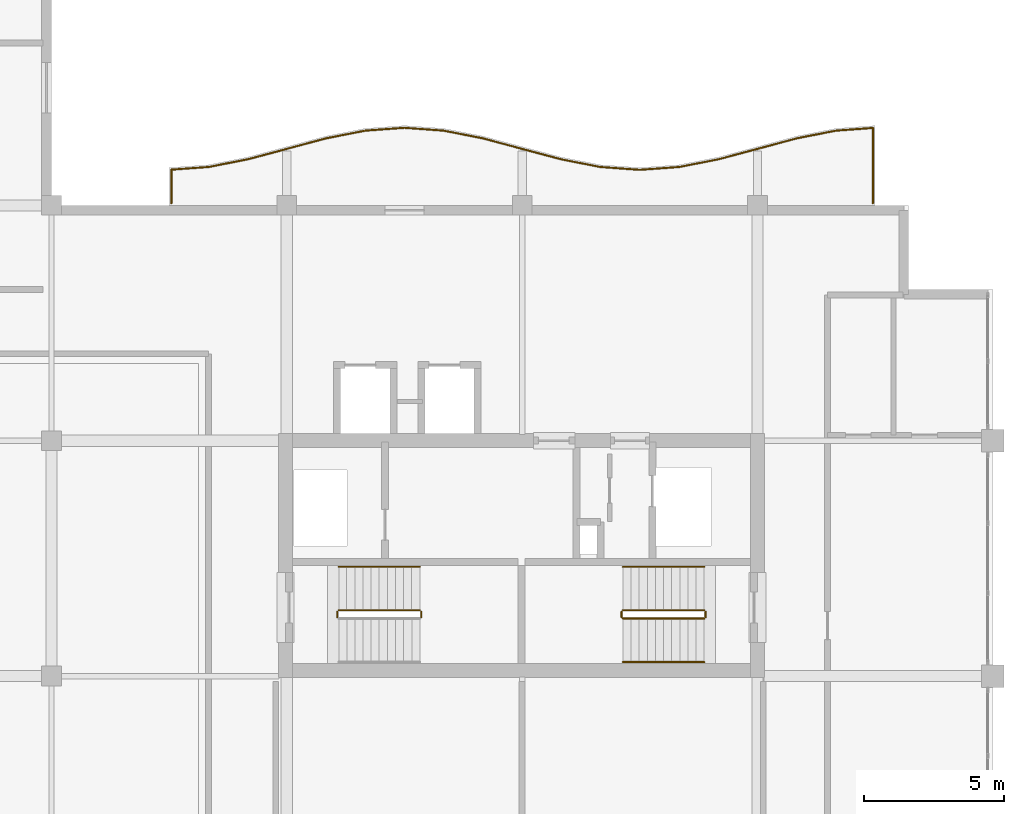
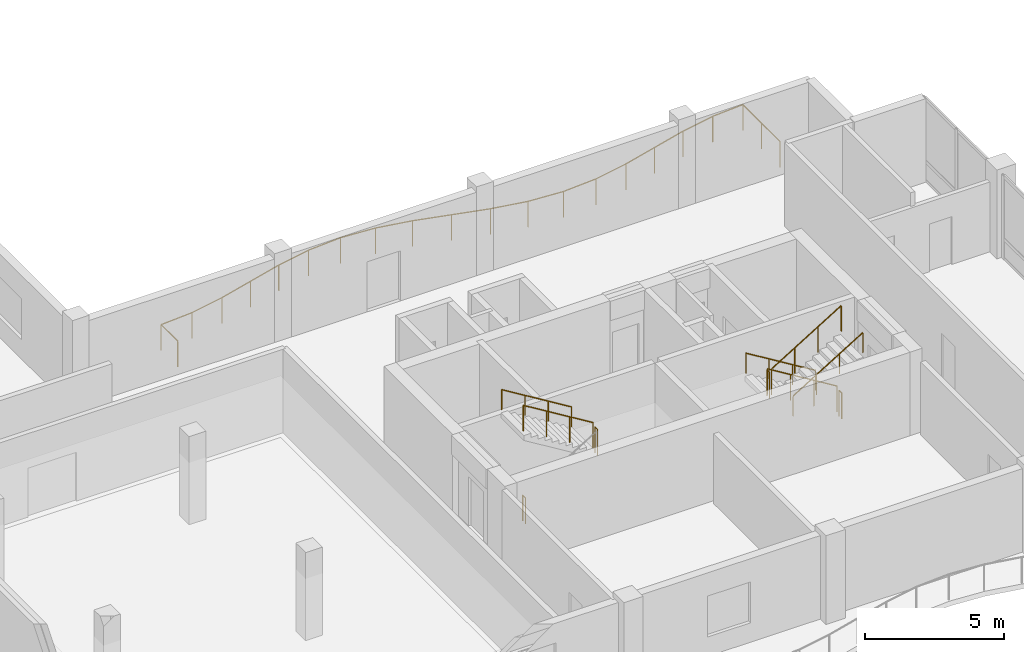
# One storey, part 12 of 14: 11 railings.
"""IFC4 building model written with IfcOpenShell, lengths in metres."""

from ifc_helpers import new_model, si_unit, direction, frame, origin, origin_2d, place, context, subcontext, project, spatial, circle, extrude, material, type_object, element, save


model = new_model("IFC4")

# Units and contexts
model_context = context("Model", 3, precision=1e-05, world=origin(), true_north=direction((0.0, 1.0)))
body_context = subcontext(model_context, "Body", "Model", "MODEL_VIEW")
ifc_project = project(units=[si_unit("LENGTHUNIT", "METRE"), si_unit("AREAUNIT", "SQUARE_METRE"), si_unit("VOLUMEUNIT", "CUBIC_METRE"), si_unit("PLANEANGLEUNIT", "RADIAN"), si_unit("MASSUNIT", "GRAM", prefix="KILO")], contexts=[model_context])

# Site, building, storey
site_placement = place(None, origin())
site = spatial("IfcSite", under=ifc_project, at=site_placement, CompositionType="ELEMENT")
building_placement = place(site_placement, origin())
building = spatial("IfcBuilding", under=site, at=building_placement, Name="Koriwani Terraces Tower", CompositionType="ELEMENT")
storey_placement = place(building_placement, frame((0.0, 0.0, 339.800048828125)))
storey = spatial("IfcBuildingStorey", under=building, at=storey_placement, Name="L84", CompositionType="ELEMENT", Elevation=339.800048828125)

# Railings
ifc_material = material(Name="Steel ASTM A572 Grade 50", Category="steel")
railing_type_1 = type_object("IfcRailingType", Name="GUARD_BALUSTRADE_1150", PredefinedType="BALUSTRADE", material=ifc_material)
railing_1_placement = place(storey_placement, frame((62.919921875, 33.679931640625, 0.0)))
element("IfcRailing", 1, at=railing_1_placement, inside=storey, type_object=railing_type_1, Name="L84 Balcony Perimeter Safety Balustrade (NE)", PredefinedType="BALUSTRADE", context=body_context, shape_type="SweptSolid", body=[
    extrude(circle(Radius=0.02392578125, at=origin_2d()), frame((0.0, 0.0, 1.1259765625), z_axis=(0.0, 1.0, 0.0), x_axis=(-1.0, 0.0, 0.0)), (0.0, 0.0, 1.0), 2.68408203125),
    extrude(circle(Radius=0.02392578125, at=origin_2d()), frame((0.0, 2.68408203125, 1.1259765625), z_axis=(-0.997433145776, -0.07160390847, 0.0), x_axis=(0.07160390847, -0.997433145776, 0.0)), (0.0, 0.0, 1.0), 1.312744140625),
    extrude(circle(Radius=0.02392578125, at=origin_2d()), frame((-1.309326171875, 2.590087890625, 1.1259765625), z_axis=(-0.981327760125, -0.192342993657, 0.0), x_axis=(0.192342993657, -0.981327760125, 0.0)), (0.0, 0.0, 1.0), 1.419189453125),
    extrude(circle(Radius=0.02392578125, at=origin_2d()), frame((-2.701904296875, 2.317138671875, 1.1259765625), z_axis=(-0.96594917914, -0.258731875344, 0.0), x_axis=(0.258731875344, -0.96594917914, 0.0)), (0.0, 0.0, 1.0), 2.898681640625),
    extrude(circle(Radius=0.02392578125, at=origin_2d()), frame((-5.501953125, 1.567138671875, 1.1259765625), z_axis=(-0.981358469957, -0.192186246762, 0.0), x_axis=(0.192186246762, -0.981358469957, 0.0)), (0.0, 0.0, 1.0), 1.434326171875),
    extrude(circle(Radius=0.02392578125, at=origin_2d()), frame((-6.909423828125, 1.29150390625, 1.1259765625), z_axis=(-0.997429695692, -0.071651951482, 0.0), x_axis=(0.071651951482, -0.997429695692, 0.0)), (0.0, 0.0, 1.0), 1.4140625),
    extrude(circle(Radius=0.02392578125, at=origin_2d()), frame((-8.31982421875, 1.190185546875, 1.1259765625), z_axis=(-0.997430581876, 0.071639614309, 0.0), x_axis=(-0.071639614309, -0.997430581876, 0.0)), (0.0, 0.0, 1.0), 1.414306640625),
    extrude(circle(Radius=0.02392578125, at=origin_2d()), frame((-9.73046875, 1.29150390625, 1.1259765625), z_axis=(-0.981358469957, 0.192186246762, 0.0), x_axis=(-0.192186246762, -0.981358469957, 0.0)), (0.0, 0.0, 1.0), 1.434326171875),
    extrude(circle(Radius=0.02392578125, at=origin_2d()), frame((-11.137939453125, 1.567138671875, 1.1259765625), z_axis=(-0.96594917914, 0.258731875344, 0.0), x_axis=(-0.258731875344, -0.96594917914, 0.0)), (0.0, 0.0, 1.0), 2.898681640625),
    extrude(circle(Radius=0.02392578125, at=origin_2d()), frame((-13.93798828125, 2.317138671875, 1.1259765625), z_axis=(-0.981327760125, 0.192342993657, 0.0), x_axis=(-0.192342993657, -0.981327760125, 0.0)), (0.0, 0.0, 1.0), 1.419189453125),
    extrude(circle(Radius=0.02392578125, at=origin_2d()), frame((-15.33056640625, 2.590087890625, 1.1259765625), z_axis=(-0.997427466293, 0.07168297904, 0.0), x_axis=(-0.07168297904, -0.997427466293, 0.0)), (0.0, 0.0, 1.0), 1.39306640625),
    extrude(circle(Radius=0.02392578125, at=origin_2d()), frame((-16.719970703125, 2.68994140625, 1.1259765625), z_axis=(-0.997427466293, -0.07168297904, 0.0), x_axis=(0.07168297904, -0.997427466293, 0.0)), (0.0, 0.0, 1.0), 1.39306640625),
    extrude(circle(Radius=0.02392578125, at=origin_2d()), frame((-18.109375, 2.590087890625, 1.1259765625), z_axis=(-0.981321393675, -0.19237547223, 0.0), x_axis=(0.19237547223, -0.981321393675, 0.0)), (0.0, 0.0, 1.0), 1.4189453125),
    extrude(circle(Radius=0.02392578125, at=origin_2d()), frame((-19.501708984375, 2.317138671875, 1.1259765625), z_axis=(-0.965954816498, -0.258710827923, 0.0), x_axis=(0.258710827923, -0.965954816498, 0.0)), (0.0, 0.0, 1.0), 2.89892578125),
    extrude(circle(Radius=0.02392578125, at=origin_2d()), frame((-22.302001953125, 1.567138671875, 1.1259765625), z_axis=(-0.981352180954, -0.192218357442, 0.0), x_axis=(0.192218357442, -0.981352180954, 0.0)), (0.0, 0.0, 1.0), 1.43408203125),
    extrude(circle(Radius=0.02392578125, at=origin_2d()), frame((-23.709228515625, 1.29150390625, 1.1259765625), z_axis=(-0.997411109522, -0.071910212079, 0.0), x_axis=(0.071910212079, -0.997411109522, 0.0)), (0.0, 0.0, 1.0), 1.334228515625),
    extrude(circle(Radius=0.02392578125, at=origin_2d()), frame((-25.0400390625, 1.195556640625, 1.1259765625), z_axis=(0.0, -1.0, 0.0), x_axis=(1.0, 0.0, 0.0)), (0.0, 0.0, 1.0), 1.195556640625),
    extrude(circle(Radius=0.02099609375, at=origin_2d()), origin(), (0.0, 0.0, 1.0), 1.101806640625),
    extrude(circle(Radius=0.02099609375, at=origin_2d()), frame((0.0, 1.342041015625, 0.0)), (0.0, 0.0, 1.0), 1.101806640625),
    extrude(circle(Radius=0.02099609375, at=origin_2d()), frame((0.0, 2.68408203125, 0.0)), (0.0, 0.0, 1.0), 1.101806640625),
    extrude(circle(Radius=0.02099609375, at=origin_2d()), frame((-1.309326171875, 2.590087890625, 0.0)), (0.0, 0.0, 1.0), 1.101806640625),
    extrude(circle(Radius=0.02099609375, at=origin_2d()), frame((-2.701904296875, 2.317138671875, 0.0)), (0.0, 0.0, 1.0), 1.101806640625),
    extrude(circle(Radius=0.02099609375, at=origin_2d()), frame((-4.10205078125, 1.942138671875, 0.0)), (0.0, 0.0, 1.0), 1.101806640625),
    extrude(circle(Radius=0.02099609375, at=origin_2d()), frame((-5.501953125, 1.567138671875, 0.0)), (0.0, 0.0, 1.0), 1.101806640625),
    extrude(circle(Radius=0.02099609375, at=origin_2d()), frame((-6.909423828125, 1.29150390625, 0.0)), (0.0, 0.0, 1.0), 1.101806640625),
    extrude(circle(Radius=0.02099609375, at=origin_2d()), frame((-8.31982421875, 1.190185546875, 0.0)), (0.0, 0.0, 1.0), 1.101806640625),
    extrude(circle(Radius=0.02099609375, at=origin_2d()), frame((-9.73046875, 1.29150390625, 0.0)), (0.0, 0.0, 1.0), 1.101806640625),
    extrude(circle(Radius=0.02099609375, at=origin_2d()), frame((-11.137939453125, 1.567138671875, 0.0)), (0.0, 0.0, 1.0), 1.101806640625),
    extrude(circle(Radius=0.02099609375, at=origin_2d()), frame((-12.5380859375, 1.942138671875, 0.0)), (0.0, 0.0, 1.0), 1.101806640625),
    extrude(circle(Radius=0.02099609375, at=origin_2d()), frame((-13.93798828125, 2.317138671875, 0.0)), (0.0, 0.0, 1.0), 1.101806640625),
    extrude(circle(Radius=0.02099609375, at=origin_2d()), frame((-15.33056640625, 2.590087890625, 0.0)), (0.0, 0.0, 1.0), 1.101806640625),
    extrude(circle(Radius=0.02099609375, at=origin_2d()), frame((-16.719970703125, 2.68994140625, 0.0)), (0.0, 0.0, 1.0), 1.101806640625),
    extrude(circle(Radius=0.02099609375, at=origin_2d()), frame((-18.109375, 2.590087890625, 0.0)), (0.0, 0.0, 1.0), 1.101806640625),
    extrude(circle(Radius=0.02099609375, at=origin_2d()), frame((-19.501708984375, 2.317138671875, 0.0)), (0.0, 0.0, 1.0), 1.101806640625),
    extrude(circle(Radius=0.02099609375, at=origin_2d()), frame((-20.90185546875, 1.942138671875, 0.0)), (0.0, 0.0, 1.0), 1.101806640625),
    extrude(circle(Radius=0.02099609375, at=origin_2d()), frame((-22.302001953125, 1.567138671875, 0.0)), (0.0, 0.0, 1.0), 1.101806640625),
    extrude(circle(Radius=0.02099609375, at=origin_2d()), frame((-23.709228515625, 1.29150390625, 0.0)), (0.0, 0.0, 1.0), 1.101806640625),
    extrude(circle(Radius=0.02099609375, at=origin_2d()), frame((-25.0400390625, 1.195556640625, 0.0)), (0.0, 0.0, 1.0), 1.101806640625),
    extrude(circle(Radius=0.02099609375, at=origin_2d()), frame((-25.0400390625, 0.0, 0.0)), (0.0, 0.0, 1.0), 1.101806640625),
])
railing_type_2 = type_object("IfcRailingType", Name="GUARD_STAIR_WELL_1120", PredefinedType="GUARDRAIL", material=ifc_material)
railing_2_placement = place(storey_placement, frame((46.800048828125, 18.89990234375, 1.949951171875)))
element("IfcRailing", 2, at=railing_2_placement, inside=storey, type_object=railing_type_2, Name="L84 ST-E1 stair guard 2", PredefinedType="GUARDRAIL", context=body_context, shape_type="SweptSolid", body=[
    extrude(circle(Radius=0.02392578125, at=origin_2d()), frame((0.0, 0.0, 1.1259765625), z_axis=(0.0, 1.0, 0.0), x_axis=(-1.0, 0.0, 0.0)), (0.0, 0.0, 1.0), 0.2001953125),
    extrude(circle(Radius=0.02099609375, at=origin_2d()), origin(), (0.0, 0.0, 1.0), 1.101806640625),
    extrude(circle(Radius=0.02099609375, at=origin_2d()), frame((0.0, 0.2001953125, 0.0)), (0.0, 0.0, 1.0), 1.101806640625),
])
railing_3_placement = place(storey_placement, frame((46.75, 19.14990234375, 2.127197265625)))
element("IfcRailing", 3, at=railing_3_placement, inside=storey, type_object=railing_type_2, Name="L84 ST-E1 stair guard 3", PredefinedType="GUARDRAIL", context=body_context, shape_type="SweptSolid", body=[
    extrude(circle(Radius=0.02392578125, at=origin_2d()), frame((0.0, 0.0, 1.1259765625), z_axis=(-0.853210801645, 0.0, 0.521566225858), x_axis=(0.0, -1.0, 0.0)), (0.0, 0.0, 1.0), 3.39892578125),
    extrude(circle(Radius=0.02099609375, at=origin_2d()), origin(), (0.0, 0.0, 1.0), 1.101806640625),
    extrude(circle(Radius=0.02099609375, at=origin_2d()), frame((-0.966552734375, 0.0, 0.5908203125)), (0.0, 0.0, 1.0), 1.101806640625),
    extrude(circle(Radius=0.02099609375, at=origin_2d()), frame((-1.933349609375, 0.0, 1.181884765625)), (0.0, 0.0, 1.0), 1.101806640625),
    extrude(circle(Radius=0.02099609375, at=origin_2d()), frame((-2.89990234375, 0.0, 1.772705078125)), (0.0, 0.0, 1.0), 1.101806640625),
])
railing_4_placement = place(storey_placement, frame((43.800048828125, 18.89990234375, 0.0)))
element("IfcRailing", 4, at=railing_4_placement, inside=storey, type_object=railing_type_2, Name="L84 ST-E1 stair guard 4", PredefinedType="GUARDRAIL", context=body_context, shape_type="SweptSolid", body=[
    extrude(circle(Radius=0.02392578125, at=origin_2d()), frame((0.0, 0.0, 1.1259765625), z_axis=(0.0, 1.0, 0.0), x_axis=(-1.0, 0.0, 0.0)), (0.0, 0.0, 1.0), 0.2001953125),
    extrude(circle(Radius=0.02099609375, at=origin_2d()), origin(), (0.0, 0.0, 1.0), 1.101806640625),
    extrude(circle(Radius=0.02099609375, at=origin_2d()), frame((0.0, 0.2001953125, 0.0)), (0.0, 0.0, 1.0), 1.101806640625),
])
railing_5_placement = place(storey_placement, frame((56.89990234375, 19.14990234375, 0.17724609375)))
element("IfcRailing", 5, at=railing_5_placement, inside=storey, type_object=railing_type_2, Name="L84 ST-E2 stair guard 1", PredefinedType="GUARDRAIL", context=body_context, shape_type="SweptSolid", body=[
    extrude(circle(Radius=0.02392578125, at=origin_2d()), frame((0.0, 0.0, 1.1259765625), z_axis=(-0.853210801645, 0.0, 0.521566225858), x_axis=(0.0, -1.0, 0.0)), (0.0, 0.0, 1.0), 3.39892578125),
    extrude(circle(Radius=0.02099609375, at=origin_2d()), origin(), (0.0, 0.0, 1.0), 1.101806640625),
    extrude(circle(Radius=0.02099609375, at=origin_2d()), frame((-0.966552734375, 0.0, 0.5908203125)), (0.0, 0.0, 1.0), 1.101806640625),
    extrude(circle(Radius=0.02099609375, at=origin_2d()), frame((-1.933349609375, 0.0, 1.181884765625)), (0.0, 0.0, 1.0), 1.101806640625),
    extrude(circle(Radius=0.02099609375, at=origin_2d()), frame((-2.89990234375, 0.0, 1.772705078125)), (0.0, 0.0, 1.0), 1.101806640625),
])
railing_6_placement = place(storey_placement, frame((53.949951171875, 19.10009765625, 1.949951171875)))
element("IfcRailing", 6, at=railing_6_placement, inside=storey, type_object=railing_type_2, Name="L84 ST-E2 stair guard 2", PredefinedType="GUARDRAIL", context=body_context, shape_type="SweptSolid", body=[
    extrude(circle(Radius=0.02392578125, at=origin_2d()), frame((0.0, 0.0, 1.1259765625), z_axis=(0.0, -1.0, 0.0), x_axis=(1.0, 0.0, 0.0)), (0.0, 0.0, 1.0), 0.2001953125),
    extrude(circle(Radius=0.02099609375, at=origin_2d()), origin(), (0.0, 0.0, 1.0), 1.101806640625),
    extrude(circle(Radius=0.02099609375, at=origin_2d()), frame((0.0, -0.2001953125, 0.0)), (0.0, 0.0, 1.0), 1.101806640625),
])
railing_7_placement = place(storey_placement, frame((54.0, 18.85009765625, 2.127197265625)))
element("IfcRailing", 7, at=railing_7_placement, inside=storey, type_object=railing_type_2, Name="L84 ST-E2 stair guard 3", PredefinedType="GUARDRAIL", context=body_context, shape_type="SweptSolid", body=[
    extrude(circle(Radius=0.02392578125, at=origin_2d()), frame((0.0, 0.0, 1.1259765625), z_axis=(0.853210801645, 0.0, 0.521566225858), x_axis=(0.0, 1.0, 0.0)), (0.0, 0.0, 1.0), 3.39892578125),
    extrude(circle(Radius=0.02099609375, at=origin_2d()), origin(), (0.0, 0.0, 1.0), 1.101806640625),
    extrude(circle(Radius=0.02099609375, at=origin_2d()), frame((0.966552734375, 0.0, 0.5908203125)), (0.0, 0.0, 1.0), 1.101806640625),
    extrude(circle(Radius=0.02099609375, at=origin_2d()), frame((1.933349609375, 0.0, 1.181884765625)), (0.0, 0.0, 1.0), 1.101806640625),
    extrude(circle(Radius=0.02099609375, at=origin_2d()), frame((2.89990234375, 0.0, 1.772705078125)), (0.0, 0.0, 1.0), 1.101806640625),
])
railing_8_placement = place(storey_placement, frame((56.949951171875, 19.10009765625, 0.0)))
element("IfcRailing", 8, at=railing_8_placement, inside=storey, type_object=railing_type_2, Name="L84 ST-E2 stair guard 4", PredefinedType="GUARDRAIL", context=body_context, shape_type="SweptSolid", body=[
    extrude(circle(Radius=0.02392578125, at=origin_2d()), frame((0.0, 0.0, 1.1259765625), z_axis=(0.0, -1.0, 0.0), x_axis=(1.0, 0.0, 0.0)), (0.0, 0.0, 1.0), 0.2001953125),
    extrude(circle(Radius=0.02099609375, at=origin_2d()), origin(), (0.0, 0.0, 1.0), 1.101806640625),
    extrude(circle(Radius=0.02099609375, at=origin_2d()), frame((0.0, -0.2001953125, 0.0)), (0.0, 0.0, 1.0), 1.101806640625),
])
railing_type_3 = type_object("IfcRailingType", Name="HANDRAIL_STAIR_920", PredefinedType="HANDRAIL", material=ifc_material)
for number, where, name in (
    (9, (46.75, 20.699951171875, 2.127197265625), "L84 ST-E1 stair handrail 2"),
    (10, (56.89990234375, 20.699951171875, 0.17724609375), "L84 ST-E2 stair handrail 1"),
):
    element("IfcRailing", number, at=place(storey_placement, frame(where)), inside=storey, type_object=railing_type_3, Name=name, PredefinedType="HANDRAIL", context=body_context, shape_type="SweptSolid", body=[
        extrude(circle(Radius=0.02392578125, at=origin_2d()), frame((0.0, 0.0, 0.8759765625), z_axis=(-0.853210801645, 0.0, 0.521566225858), x_axis=(0.0, -1.0, 0.0)), (0.0, 0.0, 1.0), 3.39892578125),
        extrude(circle(Radius=0.02099609375, at=origin_2d()), origin(), (0.0, 0.0, 1.0), 0.851806640625),
        extrude(circle(Radius=0.02099609375, at=origin_2d()), frame((-0.966552734375, 0.0, 0.5908203125)), (0.0, 0.0, 1.0), 0.851806640625),
        extrude(circle(Radius=0.02099609375, at=origin_2d()), frame((-1.933349609375, 0.0, 1.181884765625)), (0.0, 0.0, 1.0), 0.851806640625),
        extrude(circle(Radius=0.02099609375, at=origin_2d()), frame((-2.89990234375, 0.0, 1.772705078125)), (0.0, 0.0, 1.0), 0.851806640625),
    ])
railing_9_placement = place(storey_placement, frame((54.0, 17.300048828125, 2.127197265625)))
element("IfcRailing", 11, at=railing_9_placement, inside=storey, type_object=railing_type_3, Name="L84 ST-E2 stair handrail 2", PredefinedType="HANDRAIL", context=body_context, shape_type="SweptSolid", body=[
    extrude(circle(Radius=0.02392578125, at=origin_2d()), frame((0.0, 0.0, 0.8759765625), z_axis=(0.853210801645, 0.0, 0.521566225858), x_axis=(0.0, 1.0, 0.0)), (0.0, 0.0, 1.0), 3.39892578125),
    extrude(circle(Radius=0.02099609375, at=origin_2d()), origin(), (0.0, 0.0, 1.0), 0.851806640625),
    extrude(circle(Radius=0.02099609375, at=origin_2d()), frame((0.966552734375, 0.0, 0.5908203125)), (0.0, 0.0, 1.0), 0.851806640625),
    extrude(circle(Radius=0.02099609375, at=origin_2d()), frame((1.933349609375, 0.0, 1.181884765625)), (0.0, 0.0, 1.0), 0.851806640625),
    extrude(circle(Radius=0.02099609375, at=origin_2d()), frame((2.89990234375, 0.0, 1.772705078125)), (0.0, 0.0, 1.0), 0.851806640625),
])

save(model, "model.ifc")
